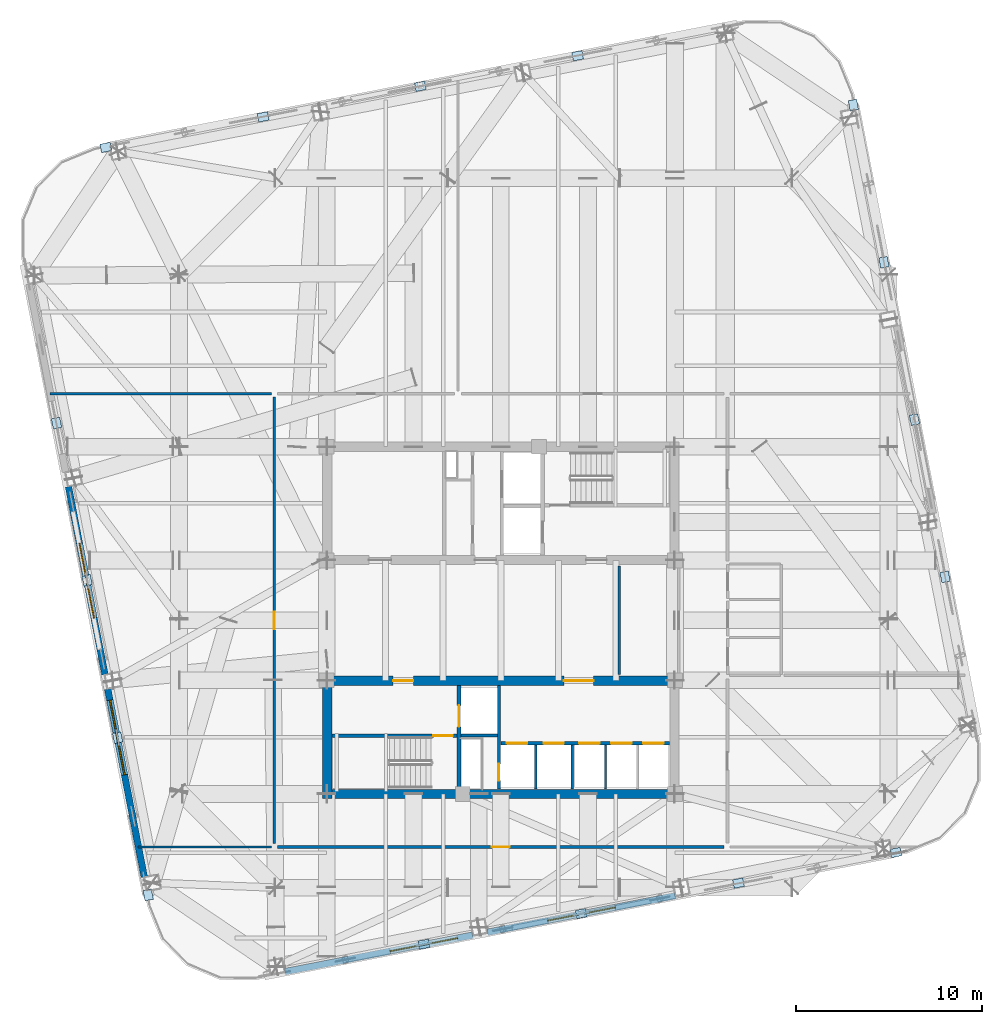
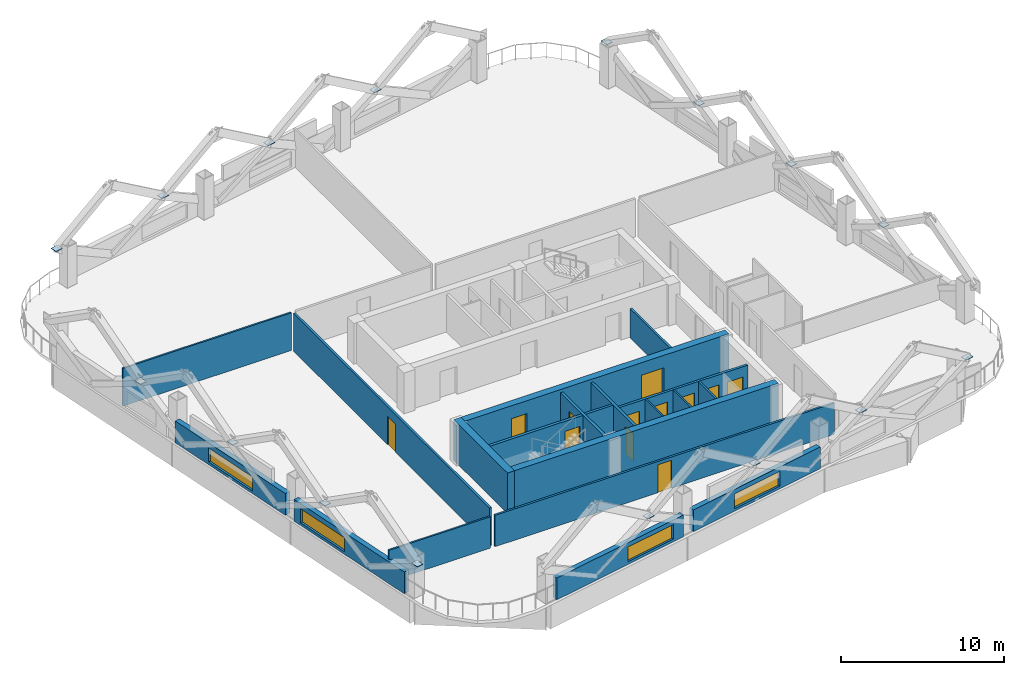
# One storey, part 9 of 14: 20 walls, 16 plates, 12 doors, 4 windows, 16 openings.
"""IFC4 building model written with IfcOpenShell, lengths in metres."""

import ifcopenshell
import ifcopenshell.guid

model = None  # the IFC model being written
_history = None  # IfcOwnerHistory: only IFC2X3 demands one
_inside = {}  # id of a spatial element -> (the spatial element, [elements in it])
_under = {}  # id of a project, library or spatial element -> (it, [spatial elements below it])
_declared = {}  # id of a project -> (the project, [libraries it declares])
_typed = {}  # id of a type object -> (the type object, [elements of that type])
_made_of = {}  # id of a material, layer set ... -> (it, [elements and type objects made of it])


def new_model(schema):
    """Start an empty IFC model of exactly this schema.

    Asked for "IFC4X3", IfcOpenShell would pick the latest addendum, in which some entities
    have other attributes; the version numbers below select the first issue.
    IFC2X3 requires an IfcOwnerHistory on every rooted entity: one is made here for all.
    """
    global model, _history
    if schema == "IFC4X3":
        model = ifcopenshell.file(schema_version=(4, 3, 0, 0))
    else:
        model = ifcopenshell.file(schema=schema)
    _inside.clear()
    _under.clear()
    _declared.clear()
    _typed.clear()
    _made_of.clear()
    _history = None
    if model.schema == "IFC2X3":
        org = make("IfcOrganization", Name="unknown")
        user = make(
            "IfcPersonAndOrganization",
            ThePerson=make("IfcPerson", FamilyName="unknown"),
            TheOrganization=org,
        )
        app = make(
            "IfcApplication",
            ApplicationDeveloper=org,
            Version="unknown",
            ApplicationFullName="unknown",
            ApplicationIdentifier="unknown",
        )
        _history = make(
            "IfcOwnerHistory",
            OwningUser=user,
            OwningApplication=app,
            ChangeAction="ADDED",
            CreationDate=0,
        )
    return model


def make(cls, **values):
    """One entity of the class cls with the attributes given. An attribute that is None is left unset."""
    return model.create_entity(
        cls, **{name: value for name, value in values.items() if value is not None}
    )


def rooted(cls, **values):
    """An entity with a GlobalId (a new one), such as an element, a storey or a relation."""
    return make(cls, GlobalId=ifcopenshell.guid.new(), OwnerHistory=_history, **values)


def si_unit(unit_type, name, prefix=None):
    """IfcSIUnit, for example si_unit("LENGTHUNIT", "METRE", prefix="MILLI")."""
    return make("IfcSIUnit", UnitType=unit_type, Prefix=prefix, Name=name)


def assignment(units):
    """IfcUnitAssignment: the units of a project."""
    return None if units is None else make("IfcUnitAssignment", Units=units)


def point(xyz):
    """IfcCartesianPoint."""
    return None if xyz is None else make("IfcCartesianPoint", Coordinates=xyz)


def direction(xyz):
    """IfcDirection."""
    return None if xyz is None else make("IfcDirection", DirectionRatios=xyz)


def frame(location, z_axis=None, x_axis=None):
    """IfcAxis2Placement3D, a coordinate frame: its origin and axes. An axis left out is left unset."""
    return make(
        "IfcAxis2Placement3D",
        Location=point(location),
        Axis=direction(z_axis),
        RefDirection=direction(x_axis),
    )


def frame_2d(location, x_axis=None):
    """IfcAxis2Placement2D, a coordinate frame in the plane: its origin and x axis."""
    return make(
        "IfcAxis2Placement2D", Location=point(location), RefDirection=direction(x_axis)
    )


def origin():
    """The frame at (0, 0, 0) with its axes left unset."""
    return frame((0.0, 0.0, 0.0))


def origin_2d():
    """The frame at (0, 0) in the plane with its x axis left unset."""
    return frame_2d((0.0, 0.0))


def place(relative_to, where):
    """IfcLocalPlacement: puts the frame where relative to a parent placement (None: the world)."""
    return make(
        "IfcLocalPlacement", PlacementRelTo=relative_to, RelativePlacement=where
    )


def context(
    kind, dimensions, precision=None, world=None, true_north=None, identifier=None
):
    """IfcGeometricRepresentationContext, for example the 3D "Model" context."""
    return make(
        "IfcGeometricRepresentationContext",
        ContextIdentifier=identifier,
        ContextType=kind,
        CoordinateSpaceDimension=dimensions,
        Precision=precision,
        WorldCoordinateSystem=world,
        TrueNorth=true_north,
    )


def subcontext(parent, identifier, kind, view, scale=None):
    """IfcGeometricRepresentationSubContext, for example "Body" below "Model"."""
    return make(
        "IfcGeometricRepresentationSubContext",
        ContextIdentifier=identifier,
        ContextType=kind,
        ParentContext=parent,
        TargetScale=scale,
        TargetView=view,
    )


def project(units=None, contexts=None):
    """IfcProject with its units and contexts."""
    return rooted(
        "IfcProject",
        Name="project",
        RepresentationContexts=contexts,
        UnitsInContext=assignment(units),
    )


def spatial(cls, under=None, at=None, **own):
    """A site, building, storey or space (cls), placed at a placement, below another one or the project."""
    s = rooted(cls, ObjectPlacement=at, **own)
    if under is not None:
        _under.setdefault(under.id(), (under, []))[1].append(s)
    return s


def profile(cls, at=None, kind="AREA", **sizes):
    """A parametric profile (cls). Its sizes go by their IFC names, for example OverallWidth=200.0."""
    return make(cls, ProfileType=kind, Position=at, **sizes)


def rectangle(**sizes):
    """IfcRectangleProfileDef."""
    return profile("IfcRectangleProfileDef", **sizes)


def extrude(swept, where, along, depth):
    """IfcExtrudedAreaSolid: the profile swept, set in the frame where, extruded along a direction by depth."""
    return make(
        "IfcExtrudedAreaSolid",
        SweptArea=swept,
        Position=where,
        ExtrudedDirection=direction(along),
        Depth=depth,
    )


def shape(context_of_items, identifier, shape_type, items):
    """IfcShapeRepresentation: the items that make up one representation, for example the "Body"."""
    return make(
        "IfcShapeRepresentation",
        ContextOfItems=context_of_items,
        RepresentationIdentifier=identifier,
        RepresentationType=shape_type,
        Items=items,
    )


def material(Name=None, Category=None):
    """IfcMaterial."""
    return make("IfcMaterial", Name=Name, Category=Category)


def layer(
    of_material, thickness, ventilated=None, Name=None, Category=None, Priority=None
):
    """IfcMaterialLayer: one layer of a wall or slab, of a material (None: an air gap)."""
    return make(
        "IfcMaterialLayer",
        Material=of_material,
        LayerThickness=thickness,
        IsVentilated=ventilated,
        Name=Name,
        Category=Category,
        Priority=Priority,
    )


def layer_set(layers, Name=None):
    """IfcMaterialLayerSet."""
    return make("IfcMaterialLayerSet", MaterialLayers=layers, LayerSetName=Name)


def made_of(thing, what):
    """Note that an element or type object is made of a material, layer set ...; save() writes the relation."""
    if what is not None:
        _made_of.setdefault(what.id(), (what, []))[1].append(thing)
    return thing


def type_object(cls, material=None, **own):
    """A type object (cls), such as IfcWallType, which elements share."""
    return made_of(rooted(cls, **own), material)


def element(
    cls,
    number,
    at=None,
    inside=None,
    cuts=None,
    type_object=None,
    material=None,
    context=None,
    identifier="Body",
    shape_type=None,
    held_by="IfcProductDefinitionShape",
    body=None,
    shapes=None,
    **own,
):
    """One element of the class cls, such as IfcWall. Its Tag is "e" and its number.

    at: its placement. inside: the storey or other place that contains it. cuts: it is an
    opening in that element (IfcRelVoidsElement). A single representation is given by context,
    identifier, shape_type and body (its items); several are given by shapes. held_by: the class
    of the entity that holds the representations. save() writes the other relations.
    """
    e = rooted(cls, Tag="e%d" % number, ObjectPlacement=at, **own)
    if body is not None:
        shapes = [shape(context, identifier, shape_type, body)]
    if shapes is not None:
        e.Representation = make(held_by, Representations=shapes)
    if inside is not None:
        _inside.setdefault(inside.id(), (inside, []))[1].append(e)
    if cuts is not None:
        rooted(
            "IfcRelVoidsElement", RelatingBuildingElement=cuts, RelatedOpeningElement=e
        )
    if type_object is not None:
        _typed.setdefault(type_object.id(), (type_object, []))[1].append(e)
    return made_of(e, material)


def fill(opening, filler):
    """IfcRelFillsElement: the door or window that sits in an opening."""
    return rooted(
        "IfcRelFillsElement",
        RelatingOpeningElement=opening,
        RelatedBuildingElement=filler,
    )


def aggregate(whole, parts):
    """IfcRelAggregates: a whole, such as a stair, and the parts it consists of."""
    return rooted("IfcRelAggregates", RelatingObject=whole, RelatedObjects=parts)


def save(model, path):
    """Write the relations noted so far, then the file.

    IfcRelAggregates (storeys below a building ...), IfcRelContainedInSpatialStructure (elements
    in a storey), IfcRelDefinesByType, IfcRelAssociatesMaterial and IfcRelDeclares: one each for
    every whole, place, type object, material and project.
    """
    for whole, parts in _under.values():
        aggregate(whole, parts)
    for where, things in _inside.values():
        rooted(
            "IfcRelContainedInSpatialStructure",
            RelatedElements=things,
            RelatingStructure=where,
        )
    for kind, things in _typed.values():
        rooted("IfcRelDefinesByType", RelatedObjects=things, RelatingType=kind)
    for what, things in _made_of.values():
        rooted("IfcRelAssociatesMaterial", RelatedObjects=things, RelatingMaterial=what)
    for by, libraries in _declared.values():
        rooted("IfcRelDeclares", RelatingContext=by, RelatedDefinitions=libraries)
    model.write(path)


model = new_model("IFC4")

# Units and contexts
model_context = context("Model", 3, precision=1e-05, world=origin(), true_north=direction((0.0, 1.0)))
body_context = subcontext(model_context, "Body", "Model", "MODEL_VIEW")
ifc_project = project(units=[si_unit("LENGTHUNIT", "METRE"), si_unit("AREAUNIT", "SQUARE_METRE"), si_unit("VOLUMEUNIT", "CUBIC_METRE"), si_unit("PLANEANGLEUNIT", "RADIAN"), si_unit("MASSUNIT", "GRAM", prefix="KILO")], contexts=[model_context])

# Site, building, storey
site_placement = place(None, origin())
site = spatial("IfcSite", under=ifc_project, at=site_placement, CompositionType="ELEMENT")
building_placement = place(site_placement, origin())
building = spatial("IfcBuilding", under=site, at=building_placement, Name="Qhalaya Broadcast Tower", CompositionType="ELEMENT")
storey_placement = place(building_placement, frame((0.0, 0.0, 112.800048828125)))
storey = spatial("IfcBuildingStorey", under=building, at=storey_placement, Name="L32", CompositionType="ELEMENT", Elevation=112.800048828125)

# Plates
ifc_material_1 = material(Name="Structural Steel ASTM A572 Grade 50", Category="steel")
ifc_layer_1 = layer(ifc_material_1, 0.4599609375, Name="Structural Steel ASTM A572 Grade 50")
ifc_layer_set_1 = layer_set([ifc_layer_1], Name="Structural Steel ASTM A572 Grade 50")
plate_type = type_object("IfcPlateType", Name="Hollow Box Member End Cap Plate CP-01", PredefinedType="USERDEFINED", material=ifc_layer_set_1)
for number, where, z_axis, x_axis, name in (
    (1, (-4.13720703125, -16.8388671875, 2.673828125), (0.0, 0.0, 1.0), (0.981627183448, 0.190808995377, 0.0), "Exoskeleton Hollow End Cap B3-S1"),
    (2, (4.32958984375, -15.193115234375, 2.673828125), (0.0, 0.0, 1.0), (0.981627183448, 0.190808995377, 0.0), "Exoskeleton Hollow End Cap B3-S2"),
    (3, (12.7958984375, -13.54736328125, 2.673828125), (0.0, 0.0, 1.0), (0.981627183448, 0.190808995377, 0.0), "Exoskeleton Hollow End Cap B3-S3"),
    (4, (21.262451171875, -11.901611328125, 2.673828125), (0.0, 0.0, 1.0), (0.981627183448, 0.190808995377, 0.0), "Exoskeleton Hollow End Cap B3-S4"),
    (5, (23.918701171875, 2.94287109375, 2.673828125), (0.0, 0.0, 1.0), (-0.190808995377, 0.981627183448, 0.0), "Exoskeleton Hollow End Cap B3-E1"),
    (6, (22.273193359375, 11.409423828125, 2.673828125), (0.0, 0.0, 1.0), (-0.190808995377, 0.981627183448, 0.0), "Exoskeleton Hollow End Cap B3-E2"),
    (7, (20.62744140625, 19.8759765625, 2.673828125), (0.0, 0.0, 1.0), (-0.190808995377, 0.981627183448, 0.0), "Exoskeleton Hollow End Cap B3-E3"),
    (8, (18.981689453125, 28.342529296875, 2.673828125), (0.0, 0.0, 1.0), (-0.190808995377, 0.981627183448, 0.0), "Exoskeleton Hollow End Cap B3-E4"),
    (9, (4.13720703125, 30.998779296875, 2.673828125), (0.0, 0.0, 1.0), (0.981627183448, 0.190808995377, 0.0), "Exoskeleton Hollow End Cap B3-N1"),
    (10, (-4.32958984375, 29.35302734375, 2.673828125), (0.0, 0.0, 1.0), (0.981627183448, 0.190808995377, 0.0), "Exoskeleton Hollow End Cap B3-N2"),
    (11, (-12.7958984375, 27.70751953125, 2.673828125), (0.0, 0.0, 1.0), (0.981627183448, 0.190808995377, 0.0), "Exoskeleton Hollow End Cap B3-N3"),
    (12, (-21.262451171875, 26.061767578125, 2.673828125), (0.0, 0.0, 1.0), (0.981627183448, 0.190808995377, 0.0), "Exoskeleton Hollow End Cap B3-N4"),
    (13, (-23.918701171875, 11.217041015625, 2.673828125), (0.0, 0.0, 1.0), (-0.190808995377, 0.981627183448, 0.0), "Exoskeleton Hollow End Cap B3-W1"),
    (14, (-22.273193359375, 2.75048828125, 2.673828125), (0.0, 0.0, 1.0), (-0.190808995377, 0.981627183448, 0.0), "Exoskeleton Hollow End Cap B3-W2"),
    (15, (-20.62744140625, -5.716064453125, 2.673828125), (0.0, 0.0, 1.0), (-0.190808995377, 0.981627183448, 0.0), "Exoskeleton Hollow End Cap B3-W3"),
    (16, (-18.981689453125, -14.1826171875, 2.673828125), (0.0, 0.0, 1.0), (-0.190808995377, 0.981627183448, 0.0), "Exoskeleton Hollow End Cap B3-W4"),
):
    element("IfcPlate", number, at=place(storey_placement, frame(where, z_axis=z_axis, x_axis=x_axis)), inside=storey, type_object=plate_type, Name=name, ObjectType="COVER_PLATE", PredefinedType="USERDEFINED", context=body_context, shape_type="SweptSolid", body=[
        extrude(rectangle(XDim=0.56005859375, YDim=0.4599609375, at=origin_2d()), origin(), (0.0, 0.0, 1.0), 0.031982421875),
    ])

# Wall
ifc_material_2 = material(Name="Gypsum Acoustic Partition")
ifc_layer_2 = layer(ifc_material_2, 0.14990234375, Name="Gypsum Acoustic Partition")
ifc_layer_set_2 = layer_set([ifc_layer_2], Name="Gypsum Acoustic Partition")
wall_type_1 = type_object("IfcWallType", Name="Corridor & Tenancy Acoustic Partition 150", PredefinedType="PARTITIONING", material=ifc_layer_set_2)
wall_1_placement = place(storey_placement, frame((6.3798828125, -2.320068359375, 0.0), z_axis=(0.0, 0.0, 1.0), x_axis=(0.0, 1.0, 0.0)))
element("IfcWall", 17, at=wall_1_placement, inside=storey, type_object=wall_type_1, Name="L32 Partition Wall W-ICHW", PredefinedType="PARTITIONING", context=body_context, shape_type="SweptSolid", body=[
    extrude(rectangle(XDim=5.840087890625, YDim=0.14990234375, at=frame_2d((2.919921875, 0.0))), origin(), (0.0, 0.0, 1.0), 2.197998046875),
])

# Wall, opening, door
wall_2_placement = place(storey_placement, frame((-12.02001953125, -11.60009765625, 0.0), z_axis=(0.0, 0.0, 1.0), x_axis=(1.0, 0.0, 0.0)))
wall_2 = element("IfcWall", 18, at=wall_2_placement, inside=storey, type_object=wall_type_1, Name="L32 Partition Wall W-COR-03", PredefinedType="PARTITIONING", context=body_context, shape_type="SweptSolid", body=[
    extrude(rectangle(XDim=24.0400390625, YDim=0.14990234375, at=frame_2d((12.02001953125, 0.0))), origin(), (0.0, 0.0, 1.0), 2.346923828125),
])
opening_1_placement = place(wall_2_placement, frame((11.544921875, 0.0, 0.0)))
opening_1 = element("IfcOpeningElement", 19, at=opening_1_placement, cuts=wall_2, Name="Opening D10", PredefinedType="OPENING", context=body_context, shape_type="SweptSolid", body=[
    extrude(rectangle(XDim=0.949951171875, YDim=2.10009765625, at=frame_2d((0.47509765625, 1.050048828125))), frame((0.0, 0.0869140625, 0.0), z_axis=(0.0, -1.0, 0.0), x_axis=(1.0, 0.0, 0.0)), (0.0, 0.0, 1.0), 0.173828125),
])
ifc_material_3 = material(Name="Timber Veneer Acoustic Door", Category="wood")
door_type_1 = type_object("IfcDoorType", Name="Cellular Office & Edit Booth Door D10", OperationType="NOTDEFINED", PredefinedType="DOOR", material=ifc_material_3)
door_1_placement = place(opening_1_placement, origin())
door_1 = element("IfcDoor", 20, at=door_1_placement, inside=storey, type_object=door_type_1, Name="L32 Door D-RM03", OperationType="SINGLE_SWING_RIGHT", OverallHeight=2.10009765625, OverallWidth=0.949951171875, PredefinedType="DOOR", context=body_context, shape_type="SweptSolid", body=[
    extrude(rectangle(XDim=0.949951171875, YDim=2.10009765625, at=frame_2d((0.47509765625, 1.050048828125))), frame((0.0, 0.02490234375, 0.0), z_axis=(0.0, -1.0, 0.0), x_axis=(1.0, 0.0, 0.0)), (0.0, 0.0, 1.0), 0.050048828125),
])
fill(opening_1, door_1)

wall_3_placement = place(storey_placement, frame((-12.199951171875, -11.419921875, 0.0), z_axis=(0.0, 0.0, 1.0), x_axis=(0.0, 1.0, 0.0)))
wall_3 = element("IfcWall", 21, at=wall_3_placement, inside=storey, type_object=wall_type_1, Name="L32 Partition Wall W-COR-04", PredefinedType="PARTITIONING", context=body_context, shape_type="SweptSolid", body=[
    extrude(rectangle(XDim=24.0400390625, YDim=0.14990234375, at=frame_2d((12.02001953125, 0.0))), origin(), (0.0, 0.0, 1.0), 2.829833984375),
])
opening_2_placement = place(wall_3_placement, frame((11.544921875, 0.0, 0.0)))
opening_2 = element("IfcOpeningElement", 22, at=opening_2_placement, cuts=wall_3, Name="Opening D10", PredefinedType="OPENING", context=body_context, shape_type="SweptSolid", body=[
    extrude(rectangle(XDim=0.949951171875, YDim=2.10009765625, at=frame_2d((0.47509765625, 1.050048828125))), frame((0.0, 0.0869140625, 0.0), z_axis=(0.0, -1.0, 0.0), x_axis=(1.0, 0.0, 0.0)), (0.0, 0.0, 1.0), 0.173828125),
])
door_2_placement = place(opening_2_placement, origin())
door_2 = element("IfcDoor", 23, at=door_2_placement, inside=storey, type_object=door_type_1, Name="L32 Door D-RM04", OperationType="SINGLE_SWING_LEFT", OverallHeight=2.10009765625, OverallWidth=0.949951171875, PredefinedType="DOOR", context=body_context, shape_type="SweptSolid", body=[
    extrude(rectangle(XDim=0.949951171875, YDim=2.10009765625, at=frame_2d((0.47509765625, 1.050048828125))), frame((0.0, 0.02490234375, 0.0), z_axis=(0.0, -1.0, 0.0), x_axis=(1.0, 0.0, 0.0)), (0.0, 0.0, 1.0), 0.050048828125),
])
fill(opening_2, door_2)

# Wall, opening, window
ifc_material_4 = material(Name="Precast Concrete C40/50", Category="concrete")
ifc_layer_3 = layer(ifc_material_4, 0.360107421875, Name="Precast Concrete C40/50")
ifc_layer_set_3 = layer_set([ifc_layer_3], Name="Precast Concrete C40/50")
wall_type_2 = type_object("IfcWallType", Name="Insulated Precast Terracotta Exterior Wall 360", PredefinedType="SOLIDWALL", material=ifc_layer_set_3)
wall_4_placement = place(storey_placement, frame((9.388671875, -14.22998046875, 0.0), z_axis=(0.0, 0.0, 1.0), x_axis=(-0.981627477005, -0.190807485147, 0.0)))
wall_4 = element("IfcWall", 24, at=wall_4_placement, inside=storey, type_object=wall_type_2, Name="L32 Exoskeleton Diagrid Infill Wall S2", PredefinedType="SOLIDWALL", context=body_context, shape_type="SweptSolid", body=[
    extrude(rectangle(XDim=10.300048828125, YDim=0.360107421875, at=frame_2d((5.14990234375, 0.0))), origin(), (0.0, 0.0, 1.0), 1.6318359375),
])
opening_3_placement = place(wall_4_placement, frame((3.2880859375, 0.0, 0.199951171875)))
opening_3 = element("IfcOpeningElement", 25, at=opening_3_placement, cuts=wall_4, Name="Opening W11", PredefinedType="OPENING", context=body_context, shape_type="SweptSolid", body=[
    extrude(rectangle(XDim=3.699951171875, YDim=1.10009765625, at=frame_2d((1.85009765625, 0.550048828125))), frame((0.0, 0.192138671875, 0.0), z_axis=(0.0, -1.0, 0.0), x_axis=(1.0, 0.0, 0.0)), (0.0, 0.0, 1.0), 0.384033203125),
])
ifc_material_5 = material(Name="Solar-Control Low-E Triple Glazing", Category="glass")
window_type = type_object("IfcWindowType", Name="Odd-Block Diagrid Infill Window W11", PartitioningType="SINGLE_PANEL", PredefinedType="WINDOW", material=ifc_material_5)
window_1_placement = place(opening_3_placement, origin())
window_1 = element("IfcWindow", 26, at=window_1_placement, inside=storey, type_object=window_type, Name="L32 Diagrid Infill Window W11-S2", OverallHeight=1.10009765625, OverallWidth=3.699951171875, PartitioningType="SINGLE_PANEL", PredefinedType="WINDOW", context=body_context, shape_type="SweptSolid", body=[
    extrude(rectangle(XDim=3.699951171875, YDim=1.10009765625, at=frame_2d((1.85009765625, 0.550048828125))), frame((0.0, 0.030029296875, 0.0), z_axis=(0.0, -1.0, 0.0), x_axis=(1.0, 0.0, 0.0)), (0.0, 0.0, 1.0), 0.06005859375),
])
fill(opening_3, window_1)

wall_5_placement = place(storey_placement, frame((-1.50732421875, -16.34814453125, 0.0), z_axis=(0.0, 0.0, 1.0), x_axis=(-0.981628941133, -0.190799952646, 0.0)))
wall_5 = element("IfcWall", 27, at=wall_5_placement, inside=storey, type_object=wall_type_2, Name="L32 Exoskeleton Diagrid Infill Wall S3", PredefinedType="SOLIDWALL", context=body_context, shape_type="SweptSolid", body=[
    extrude(rectangle(XDim=10.31201171875, YDim=0.360107421875, at=frame_2d((5.156005859375, 0.0))), origin(), (0.0, 0.0, 1.0), 1.6318359375),
])
opening_4_placement = place(wall_5_placement, frame((0.837890625, 0.0, 0.199951171875)))
opening_4 = element("IfcOpeningElement", 28, at=opening_4_placement, cuts=wall_5, Name="Opening W11", PredefinedType="OPENING", context=body_context, shape_type="SweptSolid", body=[
    extrude(rectangle(XDim=3.699951171875, YDim=1.10009765625, at=frame_2d((1.85009765625, 0.550048828125))), frame((0.0, 0.192138671875, 0.0), z_axis=(0.0, -1.0, 0.0), x_axis=(1.0, 0.0, 0.0)), (0.0, 0.0, 1.0), 0.384033203125),
])
window_2_placement = place(opening_4_placement, origin())
window_2 = element("IfcWindow", 29, at=window_2_placement, inside=storey, type_object=window_type, Name="L32 Diagrid Infill Window W11-S3", OverallHeight=1.10009765625, OverallWidth=3.699951171875, PartitioningType="SINGLE_PANEL", PredefinedType="WINDOW", context=body_context, shape_type="SweptSolid", body=[
    extrude(rectangle(XDim=3.699951171875, YDim=1.10009765625, at=frame_2d((1.85009765625, 0.550048828125))), frame((0.0, 0.030029296875, 0.0), z_axis=(0.0, -1.0, 0.0), x_axis=(1.0, 0.0, 0.0)), (0.0, 0.0, 1.0), 0.06005859375),
])
fill(opening_4, window_2)

wall_6_placement = place(storey_placement, frame((-19.189697265625, -13.216552734375, 0.0), z_axis=(0.0, 0.0, 1.0), x_axis=(-0.190822765986, 0.981624506612, 0.0)))
wall_6 = element("IfcWall", 30, at=wall_6_placement, inside=storey, type_object=wall_type_2, Name="L32 Exoskeleton Diagrid Infill Wall W1", PredefinedType="SOLIDWALL", context=body_context, shape_type="SweptSolid", body=[
    extrude(rectangle(XDim=10.31201171875, YDim=0.360107421875, at=frame_2d((5.156005859375, 0.0))), origin(), (0.0, 0.0, 1.0), 1.6318359375),
])
opening_5_placement = place(wall_6_placement, frame((5.60009765625, 0.0, 0.199951171875)))
opening_5 = element("IfcOpeningElement", 31, at=opening_5_placement, cuts=wall_6, Name="Opening W11", PredefinedType="OPENING", context=body_context, shape_type="SweptSolid", body=[
    extrude(rectangle(XDim=4.10009765625, YDim=1.050048828125, at=frame_2d((2.050048828125, 0.52490234375))), frame((0.0, 0.192138671875, 0.0), z_axis=(0.0, -1.0, 0.0), x_axis=(1.0, 0.0, 0.0)), (0.0, 0.0, 1.0), 0.384033203125),
])
window_3_placement = place(opening_5_placement, origin())
window_3 = element("IfcWindow", 32, at=window_3_placement, inside=storey, type_object=window_type, Name="L32 Diagrid Infill Window W11-W1", OverallHeight=1.050048828125, OverallWidth=4.10009765625, PartitioningType="SINGLE_PANEL", PredefinedType="WINDOW", context=body_context, shape_type="SweptSolid", body=[
    extrude(rectangle(XDim=4.10009765625, YDim=1.050048828125, at=frame_2d((2.050048828125, 0.52490234375))), frame((0.0, 0.030029296875, 0.0), z_axis=(0.0, -1.0, 0.0), x_axis=(1.0, 0.0, 0.0)), (0.0, 0.0, 1.0), 0.06005859375),
])
fill(opening_5, window_3)

wall_7_placement = place(storey_placement, frame((-21.31005859375, -2.30859375, 0.0), z_axis=(0.0, 0.0, 1.0), x_axis=(-0.190811924826, 0.981626614016, 0.0)))
wall_7 = element("IfcWall", 33, at=wall_7_placement, inside=storey, type_object=wall_type_2, Name="L32 Exoskeleton Diagrid Infill Wall W2", PredefinedType="SOLIDWALL", context=body_context, shape_type="SweptSolid", body=[
    extrude(rectangle(XDim=10.2998046875, YDim=0.360107421875, at=frame_2d((5.14990234375, 0.0))), origin(), (0.0, 0.0, 1.0), 1.6318359375),
])
opening_6_placement = place(wall_7_placement, frame((3.087890625, 0.0, 0.199951171875)))
opening_6 = element("IfcOpeningElement", 34, at=opening_6_placement, cuts=wall_7, Name="Opening W11", PredefinedType="OPENING", context=body_context, shape_type="SweptSolid", body=[
    extrude(rectangle(XDim=4.10009765625, YDim=1.050048828125, at=frame_2d((2.050048828125, 0.52490234375))), frame((0.0, 0.192138671875, 0.0), z_axis=(0.0, -1.0, 0.0), x_axis=(1.0, 0.0, 0.0)), (0.0, 0.0, 1.0), 0.384033203125),
])
window_4_placement = place(opening_6_placement, origin())
window_4 = element("IfcWindow", 35, at=window_4_placement, inside=storey, type_object=window_type, Name="L32 Diagrid Infill Window W11-W2", OverallHeight=1.050048828125, OverallWidth=4.10009765625, PartitioningType="SINGLE_PANEL", PredefinedType="WINDOW", context=body_context, shape_type="SweptSolid", body=[
    extrude(rectangle(XDim=4.10009765625, YDim=1.050048828125, at=frame_2d((2.050048828125, 0.52490234375))), frame((0.0, 0.030029296875, 0.0), z_axis=(0.0, -1.0, 0.0), x_axis=(1.0, 0.0, 0.0)), (0.0, 0.0, 1.0), 0.06005859375),
])
fill(opening_6, window_4)

# Wall, opening, door
ifc_material_6 = material(Name="Concrete C50/60", Category="concrete")
ifc_layer_4 = layer(ifc_material_6, 0.199951171875, Name="Concrete C50/60")
ifc_layer_set_4 = layer_set([ifc_layer_4], Name="Concrete C50/60")
wall_type_3 = type_object("IfcWallType", Name="Load-Bearing Stair Shaft Wall 200", PredefinedType="SHEAR", material=ifc_layer_set_4)
wall_8_placement = place(storey_placement, frame((-9.080078125, -5.60498046875, 0.0), z_axis=(0.0, 0.0, 1.0), x_axis=(1.0, 0.0, 0.0)))
wall_8 = element("IfcWall", 36, at=wall_8_placement, inside=storey, type_object=wall_type_3, Name="L32 Stair Core Shear Wall SCW-ST2", PredefinedType="SHEAR", context=body_context, shape_type="SweptSolid", body=[
    extrude(rectangle(XDim=6.719970703125, YDim=0.199951171875, at=frame_2d((3.35986328125, 0.0))), origin(), (0.0, 0.0, 1.0), 2.829833984375),
])
opening_7_placement = place(wall_8_placement, frame((5.449951171875, 0.0, 0.0)))
opening_7 = element("IfcOpeningElement", 37, at=opening_7_placement, cuts=wall_8, Name="Opening D03", PredefinedType="OPENING", context=body_context, shape_type="SweptSolid", body=[
    extrude(rectangle(XDim=1.050048828125, YDim=2.080078125, at=frame_2d((0.52490234375, 1.0400390625))), frame((0.0, 0.112060546875, 0.0), z_axis=(0.0, -1.0, 0.0), x_axis=(1.0, 0.0, 0.0)), (0.0, 0.0, 1.0), 0.223876953125),
])
ifc_material_7 = material(Name="Fire-Rated Steel Door", Category="steel")
door_type_2 = type_object("IfcDoorType", Name="Core Stair Protected Fire Door D03", OperationType="NOTDEFINED", PredefinedType="DOOR", material=ifc_material_7)
door_3_placement = place(opening_7_placement, origin())
door_3 = element("IfcDoor", 38, at=door_3_placement, inside=storey, type_object=door_type_2, Name="L32 Door D-SST2", OperationType="SINGLE_SWING_RIGHT", OverallHeight=2.080078125, OverallWidth=1.050048828125, PredefinedType="DOOR", context=body_context, shape_type="SweptSolid", body=[
    extrude(rectangle(XDim=1.050048828125, YDim=2.080078125, at=frame_2d((0.52490234375, 1.0400390625))), frame((0.0, 0.02490234375, 0.0), z_axis=(0.0, -1.0, 0.0), x_axis=(1.0, 0.0, 0.0)), (0.0, 0.0, 1.0), 0.050048828125),
])
fill(opening_7, door_3)

wall_9_placement = place(storey_placement, frame((-2.25, -8.47998046875, 0.0), z_axis=(0.0, 0.0, 1.0), x_axis=(0.0, 1.0, 0.0)))
wall_9 = element("IfcWall", 39, at=wall_9_placement, inside=storey, type_object=wall_type_3, Name="L32 Stair Core Shear Wall SCW-FF", PredefinedType="SHEAR", context=body_context, shape_type="SweptSolid", body=[
    extrude(rectangle(XDim=5.56005859375, YDim=0.199951171875, at=frame_2d((2.780029296875, 0.0))), origin(), (0.0, 0.0, 1.0), 2.829833984375),
])
opening_8_placement = place(wall_9_placement, frame((3.35009765625, 0.0, 0.0)))
opening_8 = element("IfcOpeningElement", 40, at=opening_8_placement, cuts=wall_9, Name="Opening LD2", PredefinedType="OPENING", context=body_context, shape_type="SweptSolid", body=[
    extrude(rectangle(XDim=1.14990234375, YDim=2.080078125, at=frame_2d((0.574951171875, 1.0400390625))), frame((0.0, 0.112060546875, 0.0), z_axis=(0.0, -1.0, 0.0), x_axis=(1.0, 0.0, 0.0)), (0.0, 0.0, 1.0), 0.223876953125),
])
ifc_material_8 = material(Name="Brushed Stainless Steel Lift Door", Category="steel")
door_type_3 = type_object("IfcDoorType", Name="Firefighting Lift Sliding Landing Door LD2", OperationType="DOUBLE_DOOR_SLIDING", PredefinedType="DOOR", material=ifc_material_8)
door_4_placement = place(opening_8_placement, origin())
door_4 = element("IfcDoor", 41, at=door_4_placement, inside=storey, type_object=door_type_3, Name="L32 Door LD-FF2", OperationType="DOUBLE_DOOR_SLIDING", OverallHeight=2.080078125, OverallWidth=1.14990234375, PredefinedType="DOOR", context=body_context, shape_type="SweptSolid", body=[
    extrude(rectangle(XDim=1.14990234375, YDim=2.080078125, at=frame_2d((0.574951171875, 1.0400390625))), frame((0.0, 0.02490234375, 0.0), z_axis=(0.0, -1.0, 0.0), x_axis=(1.0, 0.0, 0.0)), (0.0, 0.0, 1.0), 0.050048828125),
])
fill(opening_8, door_4)

# Wall
ifc_layer_5 = layer(ifc_material_6, 0.5, Name="Concrete C50/60")
ifc_layer_set_5 = layer_set([ifc_layer_5], Name="Concrete C50/60")
wall_type_4 = type_object("IfcWallType", Name="Mid Split-Core Shear Wall 500", PredefinedType="SHEAR", material=ifc_layer_set_5)
wall_10_placement = place(storey_placement, frame((-9.60009765625, -8.75, 0.0), z_axis=(0.0, 0.0, 1.0), x_axis=(1.0, 0.0, 0.0)))
element("IfcWall", 42, at=wall_10_placement, inside=storey, type_object=wall_type_4, Name="L32 Split-Core Shear Wall CW-SS", PredefinedType="SHEAR", context=body_context, shape_type="SweptSolid", body=[
    extrude(rectangle(XDim=19.2001953125, YDim=0.5, at=frame_2d((9.60009765625, 0.0))), origin(), (0.0, 0.0, 1.0), 3.050048828125),
])

# Wall, openings, doors
wall_11_placement = place(storey_placement, frame((-9.60009765625, -2.64990234375, 0.0), z_axis=(0.0, 0.0, 1.0), x_axis=(1.0, 0.0, 0.0)))
wall_11 = element("IfcWall", 43, at=wall_11_placement, inside=storey, type_object=wall_type_4, Name="L32 Split-Core Shear Wall CW-SN", PredefinedType="SHEAR", context=body_context, shape_type="SweptSolid", body=[
    extrude(rectangle(XDim=19.2001953125, YDim=0.5, at=frame_2d((9.60009765625, 0.0))), origin(), (0.0, 0.0, 1.0), 3.050048828125),
])
opening_9_placement = place(wall_11_placement, frame((3.800048828125, 0.0, 0.0)))
opening_9 = element("IfcOpeningElement", 44, at=opening_9_placement, cuts=wall_11, Name="Opening D04", PredefinedType="OPENING", context=body_context, shape_type="SweptSolid", body=[
    extrude(rectangle(XDim=1.10009765625, YDim=2.080078125, at=frame_2d((0.550048828125, 1.0400390625))), frame((0.0, 0.261962890625, 0.0), z_axis=(0.0, -1.0, 0.0), x_axis=(1.0, 0.0, 0.0)), (0.0, 0.0, 1.0), 0.52392578125),
])
opening_10_placement = place(wall_11_placement, frame((13.0, 0.0, 0.0)))
opening_10 = element("IfcOpeningElement", 45, at=opening_10_placement, cuts=wall_11, Name="Opening D07", PredefinedType="OPENING", context=body_context, shape_type="SweptSolid", body=[
    extrude(rectangle(XDim=1.60009765625, YDim=2.1201171875, at=frame_2d((0.800048828125, 1.06005859375))), frame((0.0, 0.261962890625, 0.0), z_axis=(0.0, -1.0, 0.0), x_axis=(1.0, 0.0, 0.0)), (0.0, 0.0, 1.0), 0.52392578125),
])
door_type_4 = type_object("IfcDoorType", Name="Firefighting Lobby Rated Door D04", OperationType="NOTDEFINED", PredefinedType="DOOR", material=ifc_material_7)
door_5_placement = place(opening_9_placement, origin())
door_5 = element("IfcDoor", 46, at=door_5_placement, inside=storey, type_object=door_type_4, Name="L32 Door D-SFF", OperationType="SINGLE_SWING_LEFT", OverallHeight=2.080078125, OverallWidth=1.10009765625, PredefinedType="DOOR", context=body_context, shape_type="SweptSolid", body=[
    extrude(rectangle(XDim=1.10009765625, YDim=2.080078125, at=frame_2d((0.550048828125, 1.0400390625))), frame((0.0, 0.02490234375, 0.0), z_axis=(0.0, -1.0, 0.0), x_axis=(1.0, 0.0, 0.0)), (0.0, 0.0, 1.0), 0.050048828125),
])
fill(opening_9, door_5)
ifc_material_9 = material(Name="Anodised Aluminium Glazed Door", Category="aluminium")
door_type_5 = type_object("IfcDoorType", Name="Passenger Lift Lobby Double Glazed Door D07", OperationType="DOUBLE_DOOR_SINGLE_SWING", PredefinedType="DOOR", material=ifc_material_9)
door_6_placement = place(opening_10_placement, origin())
door_6 = element("IfcDoor", 47, at=door_6_placement, inside=storey, type_object=door_type_5, Name="L32 Door D-SPLL", OperationType="DOUBLE_DOOR_SINGLE_SWING", OverallHeight=2.1201171875, OverallWidth=1.60009765625, PredefinedType="DOOR", context=body_context, shape_type="SweptSolid", body=[
    extrude(rectangle(XDim=1.60009765625, YDim=2.1201171875, at=frame_2d((0.800048828125, 1.06005859375))), frame((0.0, 0.02490234375, 0.0), z_axis=(0.0, -1.0, 0.0), x_axis=(1.0, 0.0, 0.0)), (0.0, 0.0, 1.0), 0.050048828125),
])
fill(opening_10, door_6)

# Walls
wall_12_placement = place(storey_placement, frame((-9.35009765625, -9.0, 0.0), z_axis=(0.0, 0.0, 1.0), x_axis=(0.0, 1.0, 0.0)))
element("IfcWall", 48, at=wall_12_placement, inside=storey, type_object=wall_type_4, Name="L32 Split-Core Shear Wall CW-SW", PredefinedType="SHEAR", context=body_context, shape_type="SweptSolid", body=[
    extrude(rectangle(XDim=6.60009765625, YDim=0.5, at=frame_2d((3.300048828125, 0.0))), origin(), (0.0, 0.0, 1.0), 3.050048828125),
])
ifc_layer_6 = layer(ifc_material_2, 0.1201171875, Name="Gypsum Acoustic Partition")
ifc_layer_set_6 = layer_set([ifc_layer_6], Name="Gypsum Acoustic Partition")
wall_type_5 = type_object("IfcWallType", Name="Office, Booth & Sanitary Partition 120", PredefinedType="PARTITIONING", material=ifc_layer_set_6)
for number, where, z_axis, x_axis, name in (
    (49, (1.8798828125, -8.47998046875, 0.0), (0.0, 0.0, 1.0), (0.0, 1.0, 0.0), "L32 Partition Wall SCW-MD4"),
    (50, (3.85009765625, -8.47998046875, 0.0), (0.0, 0.0, 1.0), (0.0, 1.0, 0.0), "L32 Partition Wall SCW-MD5"),
    (51, (5.639892578125, -8.47998046875, 0.0), (0.0, 0.0, 1.0), (0.0, 1.0, 0.0), "L32 Partition Wall SCW-HD6"),
):
    element("IfcWall", number, at=place(storey_placement, frame(where, z_axis=z_axis, x_axis=x_axis)), inside=storey, type_object=wall_type_5, Name=name, PredefinedType="PARTITIONING", context=body_context, shape_type="SweptSolid", body=[
        extrude(rectangle(XDim=2.3798828125, YDim=0.1201171875, at=frame_2d((1.18994140625, 0.0))), origin(), (0.0, 0.0, 1.0), 2.829833984375),
    ])
wall_13_placement = place(storey_placement, frame((-24.267333984375, 12.800048828125, 0.0), z_axis=(0.0, 0.0, 1.0), x_axis=(1.0, 0.0, 0.0)))
element("IfcWall", 52, at=wall_13_placement, inside=storey, type_object=wall_type_5, Name="L32 Partition Wall W-BNDW1", PredefinedType="PARTITIONING", context=body_context, shape_type="SweptSolid", body=[
    extrude(rectangle(XDim=11.92724609375, YDim=0.1201171875, at=frame_2d((5.963623046875, 0.0))), origin(), (0.0, 0.0, 1.0), 2.829833984375),
])
wall_14_placement = place(storey_placement, frame((-19.5244140625, -11.60009765625, 0.0), z_axis=(0.0, 0.0, 1.0), x_axis=(1.0, 0.0, 0.0)))
element("IfcWall", 53, at=wall_14_placement, inside=storey, type_object=wall_type_5, Name="L32 Partition Wall W-BNDW2", PredefinedType="PARTITIONING", context=body_context, shape_type="SweptSolid", body=[
    extrude(rectangle(XDim=7.184326171875, YDim=0.1201171875, at=frame_2d((3.59228515625, 0.0))), origin(), (0.0, 0.0, 1.0), 2.346923828125),
])

# Wall, opening, door
ifc_layer_7 = layer(ifc_material_2, 0.175048828125, Name="Gypsum Acoustic Partition")
ifc_layer_set_7 = layer_set([ifc_layer_7], Name="Gypsum Acoustic Partition")
wall_type_6 = type_object("IfcWallType", Name="Shaft & Riser Fire Partition 175", PredefinedType="PARTITIONING", material=ifc_layer_set_7)
wall_15_placement = place(storey_placement, frame((-0.10009765625, -8.47998046875, 0.0), z_axis=(0.0, 0.0, 1.0), x_axis=(0.0, 1.0, 0.0)))
wall_15 = element("IfcWall", 54, at=wall_15_placement, inside=storey, type_object=wall_type_6, Name="L32 Partition Wall SCW-FFE", PredefinedType="PARTITIONING", context=body_context, shape_type="SweptSolid", body=[
    extrude(rectangle(XDim=5.56005859375, YDim=0.175048828125, at=frame_2d((2.780029296875, 0.0))), origin(), (0.0, 0.0, 1.0), 2.829833984375),
])
opening_11_placement = place(wall_15_placement, frame((0.449951171875, 0.0, 0.0)))
opening_11 = element("IfcOpeningElement", 55, at=opening_11_placement, cuts=wall_15, Name="Opening D06", PredefinedType="OPENING", context=body_context, shape_type="SweptSolid", body=[
    extrude(rectangle(XDim=0.89990234375, YDim=2.050048828125, at=frame_2d((0.449951171875, 1.02490234375))), frame((0.0, 0.099609375, 0.0), z_axis=(0.0, -1.0, 0.0), x_axis=(1.0, 0.0, 0.0)), (0.0, 0.0, 1.0), 0.198974609375),
])
door_type_6 = type_object("IfcDoorType", Name="Riser & Electrical Shaft Access Door D06", OperationType="NOTDEFINED", PredefinedType="DOOR", material=ifc_material_7)
door_7_placement = place(opening_11_placement, origin())
door_7 = element("IfcDoor", 56, at=door_7_placement, inside=storey, type_object=door_type_6, Name="L32 Riser Shaft Access Door D-SRSR", OperationType="SINGLE_SWING_LEFT", OverallHeight=2.050048828125, OverallWidth=0.89990234375, PredefinedType="DOOR", context=body_context, shape_type="SweptSolid", body=[
    extrude(rectangle(XDim=0.89990234375, YDim=2.050048828125, at=frame_2d((0.449951171875, 1.02490234375))), frame((0.0, 0.02490234375, 0.0), z_axis=(0.0, -1.0, 0.0), x_axis=(1.0, 0.0, 0.0)), (0.0, 0.0, 1.0), 0.050048828125),
])
fill(opening_11, door_7)

# Wall
wall_16_placement = place(storey_placement, frame((-2.14990234375, -5.60009765625, 0.0), z_axis=(0.0, 0.0, 1.0), x_axis=(1.0, 0.0, 0.0)))
element("IfcWall", 57, at=wall_16_placement, inside=storey, type_object=wall_type_6, Name="L32 Partition Wall SCW-FFM", PredefinedType="PARTITIONING", context=body_context, shape_type="SweptSolid", body=[
    extrude(rectangle(XDim=1.969970703125, YDim=0.175048828125, at=frame_2d((0.98486328125, 0.0))), origin(), (0.0, 0.0, 1.0), 2.829833984375),
])

# Wall, openings, doors
wall_17_placement = place(storey_placement, frame((0.0, -6.02001953125, 0.0), z_axis=(0.0, 0.0, 1.0), x_axis=(1.0, 0.0, 0.0)))
wall_17 = element("IfcWall", 58, at=wall_17_placement, inside=storey, type_object=wall_type_6, Name="L32 Partition Wall SCW-SLB", PredefinedType="PARTITIONING", context=body_context, shape_type="SweptSolid", body=[
    extrude(rectangle(XDim=9.080078125, YDim=0.175048828125, at=frame_2d((4.5400390625, 0.0))), origin(), (0.0, 0.0, 1.0), 2.829833984375),
])
opening_12_placement = place(wall_17_placement, frame((0.330078125, 0.0, 0.0)))
opening_12 = element("IfcOpeningElement", 59, at=opening_12_placement, cuts=wall_17, Name="Opening LD1", PredefinedType="OPENING", context=body_context, shape_type="SweptSolid", body=[
    extrude(rectangle(XDim=1.10009765625, YDim=2.06005859375, at=frame_2d((0.550048828125, 1.030029296875))), frame((0.0, 0.099609375, 0.0), z_axis=(0.0, -1.0, 0.0), x_axis=(1.0, 0.0, 0.0)), (0.0, 0.0, 1.0), 0.198974609375),
])
opening_13_placement = place(wall_17_placement, frame((2.300048828125, 0.0, 0.0)))
opening_13 = element("IfcOpeningElement", 60, at=opening_13_placement, cuts=wall_17, Name="Opening LD1", PredefinedType="OPENING", context=body_context, shape_type="SweptSolid", body=[
    extrude(rectangle(XDim=1.10009765625, YDim=2.06005859375, at=frame_2d((0.550048828125, 1.030029296875))), frame((0.0, 0.099609375, 0.0), z_axis=(0.0, -1.0, 0.0), x_axis=(1.0, 0.0, 0.0)), (0.0, 0.0, 1.0), 0.198974609375),
])
opening_14_placement = place(wall_17_placement, frame((4.219970703125, 0.0, 0.0)))
opening_14 = element("IfcOpeningElement", 61, at=opening_14_placement, cuts=wall_17, Name="Opening LD1", PredefinedType="OPENING", context=body_context, shape_type="SweptSolid", body=[
    extrude(rectangle(XDim=1.10009765625, YDim=2.06005859375, at=frame_2d((0.550048828125, 1.030029296875))), frame((0.0, 0.099609375, 0.0), z_axis=(0.0, -1.0, 0.0), x_axis=(1.0, 0.0, 0.0)), (0.0, 0.0, 1.0), 0.198974609375),
])
opening_15_placement = place(wall_17_placement, frame((5.93994140625, 0.0, 0.0)))
opening_15 = element("IfcOpeningElement", 62, at=opening_15_placement, cuts=wall_17, Name="Opening LD1", PredefinedType="OPENING", context=body_context, shape_type="SweptSolid", body=[
    extrude(rectangle(XDim=1.10009765625, YDim=2.06005859375, at=frame_2d((0.550048828125, 1.030029296875))), frame((0.0, 0.099609375, 0.0), z_axis=(0.0, -1.0, 0.0), x_axis=(1.0, 0.0, 0.0)), (0.0, 0.0, 1.0), 0.198974609375),
])
opening_16_placement = place(wall_17_placement, frame((7.659912109375, 0.0, 0.0)))
opening_16 = element("IfcOpeningElement", 63, at=opening_16_placement, cuts=wall_17, Name="Opening LD1", PredefinedType="OPENING", context=body_context, shape_type="SweptSolid", body=[
    extrude(rectangle(XDim=1.10009765625, YDim=2.06005859375, at=frame_2d((0.550048828125, 1.030029296875))), frame((0.0, 0.099609375, 0.0), z_axis=(0.0, -1.0, 0.0), x_axis=(1.0, 0.0, 0.0)), (0.0, 0.0, 1.0), 0.198974609375),
])
door_type_7 = type_object("IfcDoorType", Name="Passenger Lift Sliding Landing Door LD1", OperationType="DOUBLE_DOOR_SLIDING", PredefinedType="DOOR", material=ifc_material_8)
door_8_placement = place(opening_12_placement, origin())
door_8 = element("IfcDoor", 64, at=door_8_placement, inside=storey, type_object=door_type_7, Name="L32 Door LD-P4", OperationType="DOUBLE_DOOR_SLIDING", OverallHeight=2.06005859375, OverallWidth=1.10009765625, PredefinedType="DOOR", context=body_context, shape_type="SweptSolid", body=[
    extrude(rectangle(XDim=1.10009765625, YDim=2.06005859375, at=frame_2d((0.550048828125, 1.030029296875))), frame((0.0, 0.02490234375, 0.0), z_axis=(0.0, -1.0, 0.0), x_axis=(1.0, 0.0, 0.0)), (0.0, 0.0, 1.0), 0.050048828125),
])
fill(opening_12, door_8)
door_9_placement = place(opening_13_placement, origin())
door_9 = element("IfcDoor", 65, at=door_9_placement, inside=storey, type_object=door_type_7, Name="L32 Door LD-P5", OperationType="DOUBLE_DOOR_SLIDING", OverallHeight=2.06005859375, OverallWidth=1.10009765625, PredefinedType="DOOR", context=body_context, shape_type="SweptSolid", body=[
    extrude(rectangle(XDim=1.10009765625, YDim=2.06005859375, at=frame_2d((0.550048828125, 1.030029296875))), frame((0.0, 0.02490234375, 0.0), z_axis=(0.0, -1.0, 0.0), x_axis=(1.0, 0.0, 0.0)), (0.0, 0.0, 1.0), 0.050048828125),
])
fill(opening_13, door_9)
door_10_placement = place(opening_14_placement, origin())
door_10 = element("IfcDoor", 66, at=door_10_placement, inside=storey, type_object=door_type_7, Name="L32 Door LD-P6", OperationType="DOUBLE_DOOR_SLIDING", OverallHeight=2.06005859375, OverallWidth=1.10009765625, PredefinedType="DOOR", context=body_context, shape_type="SweptSolid", body=[
    extrude(rectangle(XDim=1.10009765625, YDim=2.06005859375, at=frame_2d((0.550048828125, 1.030029296875))), frame((0.0, 0.02490234375, 0.0), z_axis=(0.0, -1.0, 0.0), x_axis=(1.0, 0.0, 0.0)), (0.0, 0.0, 1.0), 0.050048828125),
])
fill(opening_14, door_10)
door_11_placement = place(opening_15_placement, origin())
door_11 = element("IfcDoor", 67, at=door_11_placement, inside=storey, type_object=door_type_7, Name="L32 Door LD-P7", OperationType="DOUBLE_DOOR_SLIDING", OverallHeight=2.06005859375, OverallWidth=1.10009765625, PredefinedType="DOOR", context=body_context, shape_type="SweptSolid", body=[
    extrude(rectangle(XDim=1.10009765625, YDim=2.06005859375, at=frame_2d((0.550048828125, 1.030029296875))), frame((0.0, 0.02490234375, 0.0), z_axis=(0.0, -1.0, 0.0), x_axis=(1.0, 0.0, 0.0)), (0.0, 0.0, 1.0), 0.050048828125),
])
fill(opening_15, door_11)
door_12_placement = place(opening_16_placement, origin())
door_12 = element("IfcDoor", 68, at=door_12_placement, inside=storey, type_object=door_type_7, Name="L32 Door LD-P8", OperationType="DOUBLE_DOOR_SLIDING", OverallHeight=2.06005859375, OverallWidth=1.10009765625, PredefinedType="DOOR", context=body_context, shape_type="SweptSolid", body=[
    extrude(rectangle(XDim=1.10009765625, YDim=2.06005859375, at=frame_2d((0.550048828125, 1.030029296875))), frame((0.0, 0.02490234375, 0.0), z_axis=(0.0, -1.0, 0.0), x_axis=(1.0, 0.0, 0.0)), (0.0, 0.0, 1.0), 0.050048828125),
])
fill(opening_16, door_12)

save(model, "model.ifc")
